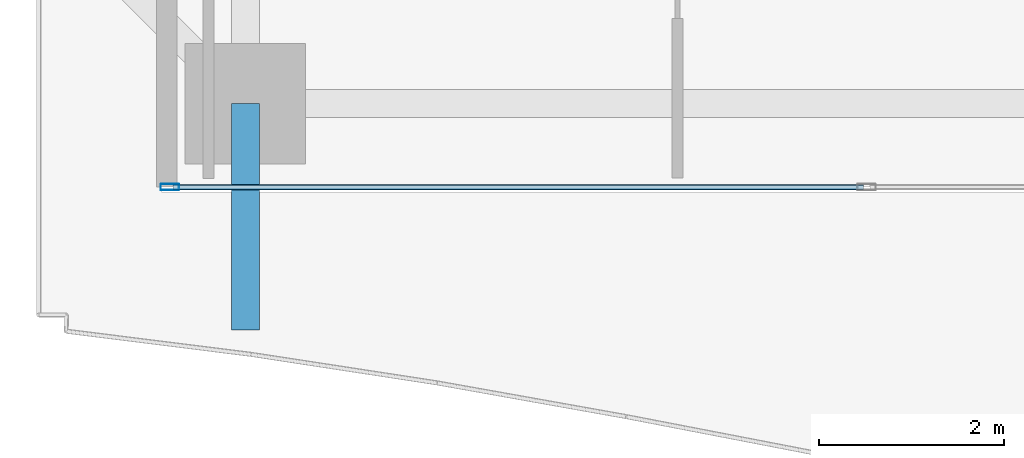
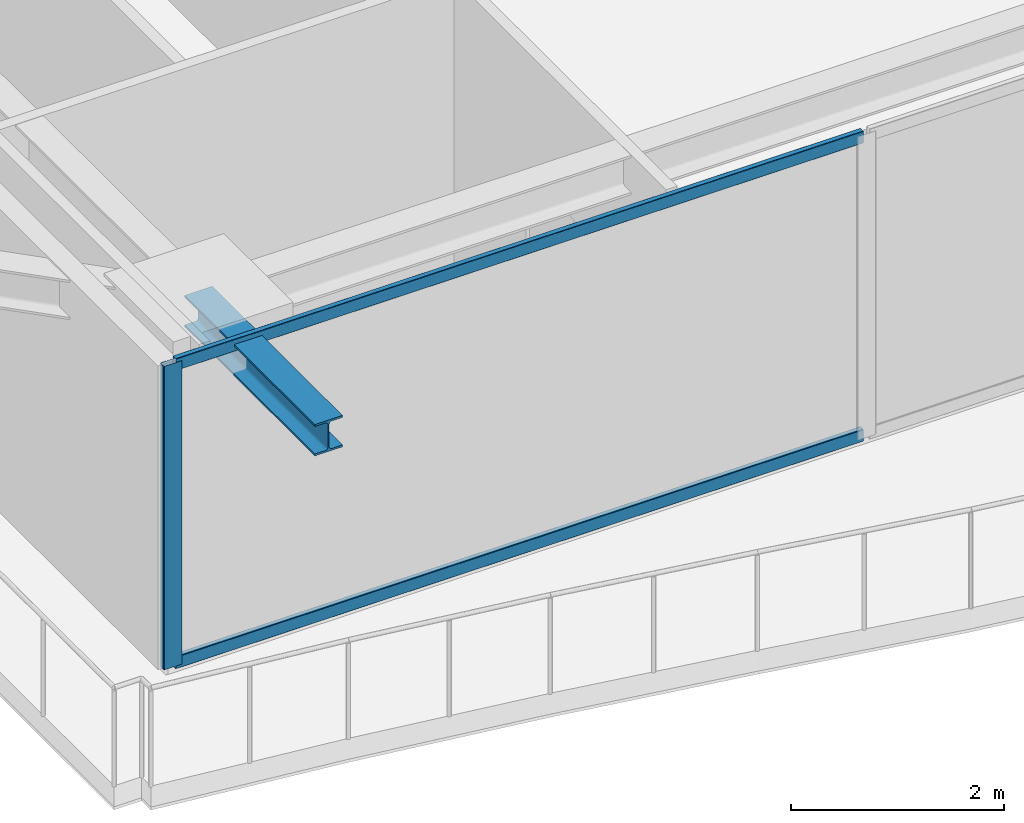
# One storey, part 2 of 34: 3 members, 1 beam, 1 element without a shape of its own.
"""IFC4 building model written with IfcOpenShell, lengths in metres."""

import ifcopenshell
import ifcopenshell.guid

model = None  # the IFC model being written
_history = None  # IfcOwnerHistory: only IFC2X3 demands one
_inside = {}  # id of a spatial element -> (the spatial element, [elements in it])
_under = {}  # id of a project, library or spatial element -> (it, [spatial elements below it])
_declared = {}  # id of a project -> (the project, [libraries it declares])
_typed = {}  # id of a type object -> (the type object, [elements of that type])
_made_of = {}  # id of a material, layer set ... -> (it, [elements and type objects made of it])


def new_model(schema):
    """Start an empty IFC model of exactly this schema.

    Asked for "IFC4X3", IfcOpenShell would pick the latest addendum, in which some entities
    have other attributes; the version numbers below select the first issue.
    IFC2X3 requires an IfcOwnerHistory on every rooted entity: one is made here for all.
    """
    global model, _history
    if schema == "IFC4X3":
        model = ifcopenshell.file(schema_version=(4, 3, 0, 0))
    else:
        model = ifcopenshell.file(schema=schema)
    _inside.clear()
    _under.clear()
    _declared.clear()
    _typed.clear()
    _made_of.clear()
    _history = None
    if model.schema == "IFC2X3":
        org = make("IfcOrganization", Name="unknown")
        user = make(
            "IfcPersonAndOrganization",
            ThePerson=make("IfcPerson", FamilyName="unknown"),
            TheOrganization=org,
        )
        app = make(
            "IfcApplication",
            ApplicationDeveloper=org,
            Version="unknown",
            ApplicationFullName="unknown",
            ApplicationIdentifier="unknown",
        )
        _history = make(
            "IfcOwnerHistory",
            OwningUser=user,
            OwningApplication=app,
            ChangeAction="ADDED",
            CreationDate=0,
        )
    return model


def make(cls, **values):
    """One entity of the class cls with the attributes given. An attribute that is None is left unset."""
    return model.create_entity(
        cls, **{name: value for name, value in values.items() if value is not None}
    )


def rooted(cls, **values):
    """An entity with a GlobalId (a new one), such as an element, a storey or a relation."""
    return make(cls, GlobalId=ifcopenshell.guid.new(), OwnerHistory=_history, **values)


def si_unit(unit_type, name, prefix=None):
    """IfcSIUnit, for example si_unit("LENGTHUNIT", "METRE", prefix="MILLI")."""
    return make("IfcSIUnit", UnitType=unit_type, Prefix=prefix, Name=name)


def assignment(units):
    """IfcUnitAssignment: the units of a project."""
    return None if units is None else make("IfcUnitAssignment", Units=units)


def point(xyz):
    """IfcCartesianPoint."""
    return None if xyz is None else make("IfcCartesianPoint", Coordinates=xyz)


def direction(xyz):
    """IfcDirection."""
    return None if xyz is None else make("IfcDirection", DirectionRatios=xyz)


def frame(location, z_axis=None, x_axis=None):
    """IfcAxis2Placement3D, a coordinate frame: its origin and axes. An axis left out is left unset."""
    return make(
        "IfcAxis2Placement3D",
        Location=point(location),
        Axis=direction(z_axis),
        RefDirection=direction(x_axis),
    )


def frame_2d(location, x_axis=None):
    """IfcAxis2Placement2D, a coordinate frame in the plane: its origin and x axis."""
    return make(
        "IfcAxis2Placement2D", Location=point(location), RefDirection=direction(x_axis)
    )


def origin():
    """The frame at (0, 0, 0) with its axes left unset."""
    return frame((0.0, 0.0, 0.0))


def origin_2d():
    """The frame at (0, 0) in the plane with its x axis left unset."""
    return frame_2d((0.0, 0.0))


def place(relative_to, where):
    """IfcLocalPlacement: puts the frame where relative to a parent placement (None: the world)."""
    return make(
        "IfcLocalPlacement", PlacementRelTo=relative_to, RelativePlacement=where
    )


def context(
    kind, dimensions, precision=None, world=None, true_north=None, identifier=None
):
    """IfcGeometricRepresentationContext, for example the 3D "Model" context."""
    return make(
        "IfcGeometricRepresentationContext",
        ContextIdentifier=identifier,
        ContextType=kind,
        CoordinateSpaceDimension=dimensions,
        Precision=precision,
        WorldCoordinateSystem=world,
        TrueNorth=true_north,
    )


def subcontext(parent, identifier, kind, view, scale=None):
    """IfcGeometricRepresentationSubContext, for example "Body" below "Model"."""
    return make(
        "IfcGeometricRepresentationSubContext",
        ContextIdentifier=identifier,
        ContextType=kind,
        ParentContext=parent,
        TargetScale=scale,
        TargetView=view,
    )


def project(units=None, contexts=None):
    """IfcProject with its units and contexts."""
    return rooted(
        "IfcProject",
        Name="project",
        RepresentationContexts=contexts,
        UnitsInContext=assignment(units),
    )


def spatial(cls, under=None, at=None, **own):
    """A site, building, storey or space (cls), placed at a placement, below another one or the project."""
    s = rooted(cls, ObjectPlacement=at, **own)
    if under is not None:
        _under.setdefault(under.id(), (under, []))[1].append(s)
    return s


def profile(cls, at=None, kind="AREA", **sizes):
    """A parametric profile (cls). Its sizes go by their IFC names, for example OverallWidth=200.0."""
    return make(cls, ProfileType=kind, Position=at, **sizes)


def hollow_rectangle(**sizes):
    """IfcRectangleHollowProfileDef."""
    return profile("IfcRectangleHollowProfileDef", **sizes)


def i_section(**sizes):
    """IfcIShapeProfileDef."""
    return profile("IfcIShapeProfileDef", **sizes)


def extrude(swept, where, along, depth):
    """IfcExtrudedAreaSolid: the profile swept, set in the frame where, extruded along a direction by depth."""
    return make(
        "IfcExtrudedAreaSolid",
        SweptArea=swept,
        Position=where,
        ExtrudedDirection=direction(along),
        Depth=depth,
    )


def shape(context_of_items, identifier, shape_type, items):
    """IfcShapeRepresentation: the items that make up one representation, for example the "Body"."""
    return make(
        "IfcShapeRepresentation",
        ContextOfItems=context_of_items,
        RepresentationIdentifier=identifier,
        RepresentationType=shape_type,
        Items=items,
    )


def source(mapping_origin, context_of_items, identifier, shape_type, items):
    """IfcRepresentationMap: a shape defined once, which mapped items show again and again."""
    return make(
        "IfcRepresentationMap",
        MappingOrigin=mapping_origin,
        MappedRepresentation=shape(context_of_items, identifier, shape_type, items),
    )


def transform(
    local_origin,
    x_axis=None,
    y_axis=None,
    z_axis=None,
    scale=None,
    scale2=None,
    scale3=None,
    uniform=True,
):
    """IfcCartesianTransformationOperator3D, or its non-uniform kind. x_axis, y_axis, z_axis: its Axis1, 2, 3."""
    if uniform:
        return make(
            "IfcCartesianTransformationOperator3D",
            Axis1=direction(x_axis),
            Axis2=direction(y_axis),
            LocalOrigin=point(local_origin),
            Scale=scale,
            Axis3=direction(z_axis),
        )
    return make(
        "IfcCartesianTransformationOperator3DnonUniform",
        Axis1=direction(x_axis),
        Axis2=direction(y_axis),
        LocalOrigin=point(local_origin),
        Scale=scale,
        Axis3=direction(z_axis),
        Scale2=scale2,
        Scale3=scale3,
    )


def mapped(mapping_source, mapping_target):
    """IfcMappedItem: shows the shape of a source again, moved by a transform."""
    return make(
        "IfcMappedItem", MappingSource=mapping_source, MappingTarget=mapping_target
    )


def material(Name=None, Category=None):
    """IfcMaterial."""
    return make("IfcMaterial", Name=Name, Category=Category)


def layer(
    of_material, thickness, ventilated=None, Name=None, Category=None, Priority=None
):
    """IfcMaterialLayer: one layer of a wall or slab, of a material (None: an air gap)."""
    return make(
        "IfcMaterialLayer",
        Material=of_material,
        LayerThickness=thickness,
        IsVentilated=ventilated,
        Name=Name,
        Category=Category,
        Priority=Priority,
    )


def layer_set(layers, Name=None):
    """IfcMaterialLayerSet."""
    return make("IfcMaterialLayerSet", MaterialLayers=layers, LayerSetName=Name)


def material_profile(
    of_material, cross_section, Name=None, Category=None, Priority=None
):
    """IfcMaterialProfile: a cross section and its material."""
    return make(
        "IfcMaterialProfile",
        Name=Name,
        Material=of_material,
        Profile=cross_section,
        Priority=Priority,
        Category=Category,
    )


def profile_set(profiles, Name=None, composite=None):
    """IfcMaterialProfileSet."""
    return make(
        "IfcMaterialProfileSet",
        Name=Name,
        MaterialProfiles=profiles,
        CompositeProfile=composite,
    )


def made_of(thing, what):
    """Note that an element or type object is made of a material, layer set ...; save() writes the relation."""
    if what is not None:
        _made_of.setdefault(what.id(), (what, []))[1].append(thing)
    return thing


def type_object(cls, material=None, **own):
    """A type object (cls), such as IfcWallType, which elements share."""
    return made_of(rooted(cls, **own), material)


def element(
    cls,
    number,
    at=None,
    inside=None,
    cuts=None,
    type_object=None,
    material=None,
    context=None,
    identifier="Body",
    shape_type=None,
    held_by="IfcProductDefinitionShape",
    body=None,
    shapes=None,
    **own,
):
    """One element of the class cls, such as IfcWall. Its Tag is "e" and its number.

    at: its placement. inside: the storey or other place that contains it. cuts: it is an
    opening in that element (IfcRelVoidsElement). A single representation is given by context,
    identifier, shape_type and body (its items); several are given by shapes. held_by: the class
    of the entity that holds the representations. save() writes the other relations.
    """
    e = rooted(cls, Tag="e%d" % number, ObjectPlacement=at, **own)
    if body is not None:
        shapes = [shape(context, identifier, shape_type, body)]
    if shapes is not None:
        e.Representation = make(held_by, Representations=shapes)
    if inside is not None:
        _inside.setdefault(inside.id(), (inside, []))[1].append(e)
    if cuts is not None:
        rooted(
            "IfcRelVoidsElement", RelatingBuildingElement=cuts, RelatedOpeningElement=e
        )
    if type_object is not None:
        _typed.setdefault(type_object.id(), (type_object, []))[1].append(e)
    return made_of(e, material)


def aggregate(whole, parts):
    """IfcRelAggregates: a whole, such as a stair, and the parts it consists of."""
    return rooted("IfcRelAggregates", RelatingObject=whole, RelatedObjects=parts)


def save(model, path):
    """Write the relations noted so far, then the file.

    IfcRelAggregates (storeys below a building ...), IfcRelContainedInSpatialStructure (elements
    in a storey), IfcRelDefinesByType, IfcRelAssociatesMaterial and IfcRelDeclares: one each for
    every whole, place, type object, material and project.
    """
    for whole, parts in _under.values():
        aggregate(whole, parts)
    for where, things in _inside.values():
        rooted(
            "IfcRelContainedInSpatialStructure",
            RelatedElements=things,
            RelatingStructure=where,
        )
    for kind, things in _typed.values():
        rooted("IfcRelDefinesByType", RelatedObjects=things, RelatingType=kind)
    for what, things in _made_of.values():
        rooted("IfcRelAssociatesMaterial", RelatedObjects=things, RelatingMaterial=what)
    for by, libraries in _declared.values():
        rooted("IfcRelDeclares", RelatingContext=by, RelatedDefinitions=libraries)
    model.write(path)


model = new_model("IFC4")

# Units and contexts
model_context = context("Model", 3, precision=1e-05, world=origin(), true_north=direction((0.0, 1.0)))
body_context = subcontext(model_context, "Body", "Model", "MODEL_VIEW")
ifc_project = project(units=[si_unit("LENGTHUNIT", "METRE"), si_unit("AREAUNIT", "SQUARE_METRE"), si_unit("VOLUMEUNIT", "CUBIC_METRE"), si_unit("PLANEANGLEUNIT", "RADIAN"), si_unit("MASSUNIT", "GRAM", prefix="KILO")], contexts=[model_context])

# Site, building, storey
site_placement = place(None, origin())
site = spatial("IfcSite", under=ifc_project, at=site_placement, CompositionType="ELEMENT")
building_placement = place(site_placement, origin())
building = spatial("IfcBuilding", under=site, at=building_placement, Name="Serunith Strait Residences", CompositionType="ELEMENT")
storey_placement = place(building_placement, frame((0.0, 0.0, 142.64990234375)))
storey = spatial("IfcBuildingStorey", under=building, at=storey_placement, Name="L35", CompositionType="ELEMENT", Elevation=142.64990234375)

# Beam
ifc_material_1 = material(Name="Steel S355J2", Category="steel")
ifc_material_profile_1 = material_profile(ifc_material_1, i_section(OverallWidth=0.300048828125, OverallDepth=0.360107421875, WebThickness=0.012451171875, FlangeThickness=0.0224609375, FilletRadius=0.027099609375, at=origin_2d()), Name="HEB 360")
ifc_profile_set_1 = profile_set([ifc_material_profile_1], Name="Steel S355J2")
beam_type = type_object("IfcBeamType", Name="BM-HEB360", PredefinedType="BEAM", material=ifc_profile_set_1)
shared_shape_1 = source(origin(), body_context, "Body", "SweptSolid", [
    extrude(i_section(OverallWidth=0.300048828125, OverallDepth=0.360107421875, WebThickness=0.012451171875, FlangeThickness=0.0224609375, FilletRadius=0.027099609375, at=origin_2d()), origin(), (0.0, 0.0, 1.0), 2.441162109375),
])
beam_placement = place(storey_placement, frame((16.64990234375, 2.300048828125, 3.277099609375), z_axis=(0.0, -1.0, 0.0), x_axis=(1.0, 0.0, 0.0)))
element("IfcBeam", 1, at=beam_placement, inside=storey, type_object=beam_type, Name="L36 Cantilevered Balcony Rib TC-S1", PredefinedType="BEAM", context=body_context, shape_type="MappedRepresentation", body=[
    mapped(shared_shape_1, transform((0.0, 0.0, 0.0), scale=1.0)),
])

# Curtain wall, members
ifc_material_2 = material(Name="Pale-Champagne Anodised Aluminium", Category="aluminium")
ifc_layer = layer(ifc_material_2, 0.199951171875, Name="Pale-Champagne Anodised Aluminium")
ifc_layer_set = layer_set([ifc_layer], Name="Pale-Champagne Anodised Aluminium")
curtain_wall_type = type_object("IfcCurtainWallType", Name="CW-SYS2", PredefinedType="NOTDEFINED", material=ifc_layer_set)
curtain_wall_placement = place(storey_placement, origin())
curtain_wall = element("IfcCurtainWall", 2, at=curtain_wall_placement, inside=storey, type_object=curtain_wall_type, Name="L35 S Unitised Fritted Curtain Wall", PredefinedType="NOTDEFINED")
ifc_material_profile_2 = material_profile(ifc_material_2, hollow_rectangle(XDim=0.070068359375, YDim=0.199951171875, WallThickness=0.00390625, InnerFilletRadius=0.006103515625, OuterFilletRadius=0.010009765625, at=origin_2d()), Name="ALU 200x70x4")
ifc_profile_set_2 = profile_set([ifc_material_profile_2], Name="Pale-Champagne Anodised Aluminium")
member_type_1 = type_object("IfcMemberType", Name="CW-SYS2-MULL", PredefinedType="MULLION", material=ifc_profile_set_2)
shared_shape_2 = source(origin(), body_context, "Body", "SweptSolid", [
    extrude(hollow_rectangle(XDim=0.070068359375, YDim=0.199951171875, WallThickness=0.00390625, InnerFilletRadius=0.006103515625, OuterFilletRadius=0.010009765625, at=origin_2d()), origin(), (0.0, 0.0, 1.0), 3.47509765625),
])
member_1_placement = place(storey_placement, frame((15.8349609375, 1.39990234375, 0.0), z_axis=(0.0, 0.0, 1.0), x_axis=(0.0, 1.0, 0.0)))
member_1 = element("IfcMember", 3, at=member_1_placement, type_object=member_type_1, Name="CW-2 mullion 1", PredefinedType="MULLION", context=body_context, shape_type="MappedRepresentation", body=[
    mapped(shared_shape_2, transform((0.0, 0.0, 0.0), scale=1.0)),
])
ifc_material_profile_3 = material_profile(ifc_material_2, hollow_rectangle(XDim=0.06005859375, YDim=0.139892578125, WallThickness=0.00341796875, InnerFilletRadius=0.00537109375, OuterFilletRadius=0.0087890625, at=origin_2d()), Name="ALU 140x60x3.5")
ifc_profile_set_3 = profile_set([ifc_material_profile_3], Name="Pale-Champagne Anodised Aluminium")
member_type_2 = type_object("IfcMemberType", Name="CW-SYS2-TRAN", PredefinedType="USERDEFINED", material=ifc_profile_set_3)
shared_shape_3 = source(origin(), body_context, "Body", "SweptSolid", [
    extrude(hollow_rectangle(XDim=0.06005859375, YDim=0.139892578125, WallThickness=0.00341796875, InnerFilletRadius=0.00537109375, OuterFilletRadius=0.0087890625, at=origin_2d()), origin(), (0.0, 0.0, 1.0), 7.44482421875),
])
member_2_placement = place(storey_placement, frame((15.8701171875, 1.39990234375, 0.030029296875), z_axis=(1.0, 0.0, 0.0), x_axis=(0.0, 1.0, 0.0)))
member_2 = element("IfcMember", 4, at=member_2_placement, type_object=member_type_2, Name="CW-2 transom 1.1", ObjectType="TRANSOM", PredefinedType="USERDEFINED", context=body_context, shape_type="MappedRepresentation", body=[
    mapped(shared_shape_3, transform((0.0, 0.0, 0.0), scale=1.0)),
])
member_3_placement = place(storey_placement, frame((15.8701171875, 1.39990234375, 3.445068359375), z_axis=(1.0, 0.0, 0.0), x_axis=(0.0, 1.0, 0.0)))
member_3 = element("IfcMember", 5, at=member_3_placement, type_object=member_type_2, Name="CW-2 transom 1.2", ObjectType="TRANSOM", PredefinedType="USERDEFINED", context=body_context, shape_type="MappedRepresentation", body=[
    mapped(shared_shape_3, transform((0.0, 0.0, 0.0), scale=1.0)),
])
aggregate(curtain_wall, [member_1, member_2, member_3])

save(model, "model.ifc")
